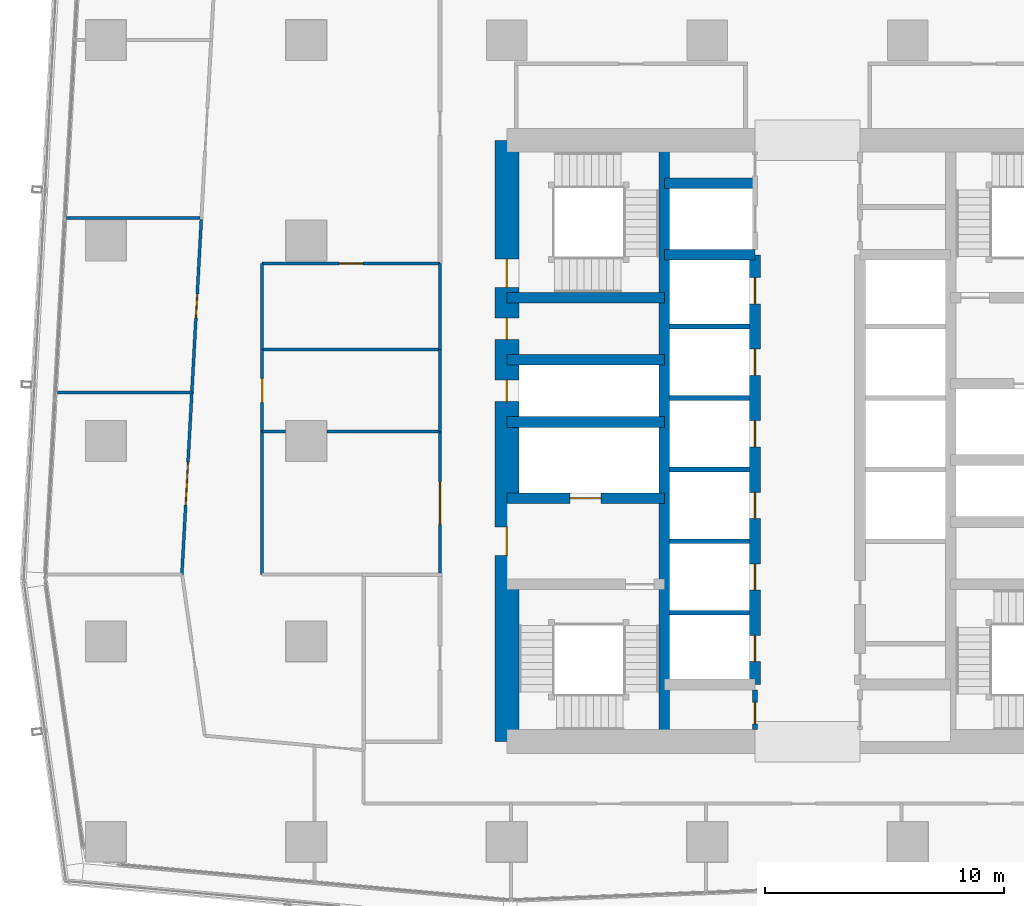
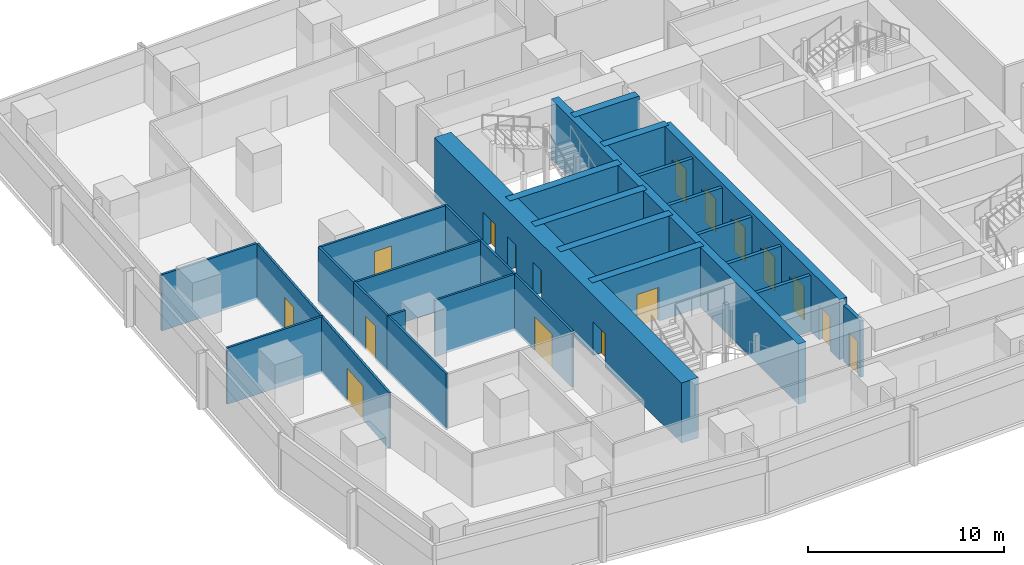
# One storey, part 29 of 40: 29 walls, 17 doors, 17 openings.
"""IFC4 building model written with IfcOpenShell, lengths in metres."""

from ifc_helpers import new_model, si_unit, direction, frame, frame_2d, origin, place, context, subcontext, project, spatial, rectangle, extrude, material, layer, layer_set, type_object, element, fill, save


model = new_model("IFC4")

# Units and contexts
model_context = context("Model", 3, precision=1e-05, world=origin(), true_north=direction((0.0, 1.0)))
body_context = subcontext(model_context, "Body", "Model", "MODEL_VIEW")
ifc_project = project(units=[si_unit("LENGTHUNIT", "METRE"), si_unit("AREAUNIT", "SQUARE_METRE"), si_unit("VOLUMEUNIT", "CUBIC_METRE"), si_unit("PLANEANGLEUNIT", "RADIAN"), si_unit("MASSUNIT", "GRAM", prefix="KILO")], contexts=[model_context])

# Site, building, storey
site_placement = place(None, origin())
site = spatial("IfcSite", under=ifc_project, at=site_placement, CompositionType="ELEMENT")
building_placement = place(site_placement, origin())
building = spatial("IfcBuilding", under=site, at=building_placement, Name="Rekha Terrace Tower", CompositionType="ELEMENT")
storey_placement = place(building_placement, frame((0.0, 0.0, 140.300048828125)))
storey = spatial("IfcBuildingStorey", under=building, at=storey_placement, Name="L35", CompositionType="ELEMENT", Elevation=140.300048828125)

# Wall
ifc_material_1 = material(Name="Concrete M70", Category="concrete")
ifc_layer_1 = layer(ifc_material_1, 0.449951171875)
ifc_layer_set_1 = layer_set([ifc_layer_1], Name="Concrete M70")
wall_type_1 = type_object("IfcWallType", Name="CI2 450 core internal shear wall", PredefinedType="SHEAR", material=ifc_layer_set_1)
wall_1_placement = place(storey_placement, frame((31.800048828125, 21.0, 0.0), z_axis=(0.0, 0.0, 1.0), x_axis=(0.0, 1.0, 0.0)))
element("IfcWall", 1, at=wall_1_placement, inside=storey, type_object=wall_type_1, Name="Core wall X318 L35", PredefinedType="SHEAR", context=body_context, shape_type="SweptSolid", body=[
    extrude(rectangle(XDim=25.199951171875, YDim=0.449951171875, at=frame_2d((12.60009765625, 0.0))), origin(), (0.0, 0.0, 1.0), 3.75),
])

# Wall, openings, doors
wall_2_placement = place(storey_placement, frame((35.60009765625, 23.39990234375, 0.0), z_axis=(0.0, 0.0, 1.0), x_axis=(0.0, 1.0, 0.0)))
wall_2 = element("IfcWall", 2, at=wall_2_placement, inside=storey, type_object=wall_type_1, Name="Core wall X356 L35", PredefinedType="SHEAR", context=body_context, shape_type="SweptSolid", body=[
    extrude(rectangle(XDim=18.0, YDim=0.449951171875, at=frame_2d((9.0, 0.0))), origin(), (0.0, 0.0, 1.0), 3.75),
])
opening_1_placement = place(wall_2_placement, frame((0.949951171875, 0.0, 0.0)))
opening_1 = element("IfcOpeningElement", 3, at=opening_1_placement, cuts=wall_2, Name="Opening LD1", PredefinedType="OPENING", context=body_context, shape_type="SweptSolid", body=[
    extrude(rectangle(XDim=1.10009765625, YDim=2.10009765625, at=frame_2d((0.550048828125, 1.050048828125))), frame((0.0, 0.23486328125, 0.0), z_axis=(0.0, -1.0, 0.0), x_axis=(1.0, 0.0, 0.0)), (0.0, 0.0, 1.0), 0.469970703125),
])
opening_2_placement = place(wall_2_placement, frame((3.949951171875, 0.0, 0.0)))
opening_2 = element("IfcOpeningElement", 4, at=opening_2_placement, cuts=wall_2, Name="Opening LD1", PredefinedType="OPENING", context=body_context, shape_type="SweptSolid", body=[
    extrude(rectangle(XDim=1.10009765625, YDim=2.10009765625, at=frame_2d((0.550048828125, 1.050048828125))), frame((0.0, 0.23486328125, 0.0), z_axis=(0.0, -1.0, 0.0), x_axis=(1.0, 0.0, 0.0)), (0.0, 0.0, 1.0), 0.469970703125),
])
opening_3_placement = place(wall_2_placement, frame((6.949951171875, 0.0, 0.0)))
opening_3 = element("IfcOpeningElement", 5, at=opening_3_placement, cuts=wall_2, Name="Opening LD1", PredefinedType="OPENING", context=body_context, shape_type="SweptSolid", body=[
    extrude(rectangle(XDim=1.10009765625, YDim=2.10009765625, at=frame_2d((0.550048828125, 1.050048828125))), frame((0.0, 0.23486328125, 0.0), z_axis=(0.0, -1.0, 0.0), x_axis=(1.0, 0.0, 0.0)), (0.0, 0.0, 1.0), 0.469970703125),
])
opening_4_placement = place(wall_2_placement, frame((9.949951171875, 0.0, 0.0)))
opening_4 = element("IfcOpeningElement", 6, at=opening_4_placement, cuts=wall_2, Name="Opening LD1", PredefinedType="OPENING", context=body_context, shape_type="SweptSolid", body=[
    extrude(rectangle(XDim=1.10009765625, YDim=2.10009765625, at=frame_2d((0.550048828125, 1.050048828125))), frame((0.0, 0.23486328125, 0.0), z_axis=(0.0, -1.0, 0.0), x_axis=(1.0, 0.0, 0.0)), (0.0, 0.0, 1.0), 0.469970703125),
])
opening_5_placement = place(wall_2_placement, frame((12.949951171875, 0.0, 0.0)))
opening_5 = element("IfcOpeningElement", 7, at=opening_5_placement, cuts=wall_2, Name="Opening LD1", PredefinedType="OPENING", context=body_context, shape_type="SweptSolid", body=[
    extrude(rectangle(XDim=1.10009765625, YDim=2.10009765625, at=frame_2d((0.550048828125, 1.050048828125))), frame((0.0, 0.23486328125, 0.0), z_axis=(0.0, -1.0, 0.0), x_axis=(1.0, 0.0, 0.0)), (0.0, 0.0, 1.0), 0.469970703125),
])
opening_6_placement = place(wall_2_placement, frame((15.949951171875, 0.0, 0.0)))
opening_6 = element("IfcOpeningElement", 8, at=opening_6_placement, cuts=wall_2, Name="Opening LD1", PredefinedType="OPENING", context=body_context, shape_type="SweptSolid", body=[
    extrude(rectangle(XDim=1.10009765625, YDim=2.10009765625, at=frame_2d((0.550048828125, 1.050048828125))), frame((0.0, 0.23486328125, 0.0), z_axis=(0.0, -1.0, 0.0), x_axis=(1.0, 0.0, 0.0)), (0.0, 0.0, 1.0), 0.469970703125),
])
ifc_material_2 = material(Name="Stainless steel sliding landing door", Category="steel")
door_type_1 = type_object("IfcDoorType", Name="LD1 1100x2100 lift landing door", OperationType="SLIDING_TO_LEFT", PredefinedType="USERDEFINED", material=ifc_material_2)
door_1_placement = place(opening_1_placement, origin())
door_1 = element("IfcDoor", 9, at=door_1_placement, inside=storey, type_object=door_type_1, Name="Lift B1 landing door L35", ObjectType="LIFT LANDING DOOR", OperationType="SLIDING_TO_LEFT", OverallHeight=2.10009765625, OverallWidth=1.10009765625, PredefinedType="USERDEFINED", context=body_context, shape_type="SweptSolid", body=[
    extrude(rectangle(XDim=1.10009765625, YDim=2.10009765625, at=frame_2d((0.550048828125, 1.050048828125))), frame((0.0, 0.02490234375, 0.0), z_axis=(0.0, -1.0, 0.0), x_axis=(1.0, 0.0, 0.0)), (0.0, 0.0, 1.0), 0.050048828125),
])
fill(opening_1, door_1)
door_2_placement = place(opening_2_placement, origin())
door_2 = element("IfcDoor", 10, at=door_2_placement, inside=storey, type_object=door_type_1, Name="Lift B2 landing door L35", ObjectType="LIFT LANDING DOOR", OperationType="SLIDING_TO_LEFT", OverallHeight=2.10009765625, OverallWidth=1.10009765625, PredefinedType="USERDEFINED", context=body_context, shape_type="SweptSolid", body=[
    extrude(rectangle(XDim=1.10009765625, YDim=2.10009765625, at=frame_2d((0.550048828125, 1.050048828125))), frame((0.0, 0.02490234375, 0.0), z_axis=(0.0, -1.0, 0.0), x_axis=(1.0, 0.0, 0.0)), (0.0, 0.0, 1.0), 0.050048828125),
])
fill(opening_2, door_2)
door_3_placement = place(opening_3_placement, origin())
door_3 = element("IfcDoor", 11, at=door_3_placement, inside=storey, type_object=door_type_1, Name="Lift B3 landing door L35", ObjectType="LIFT LANDING DOOR", OperationType="SLIDING_TO_LEFT", OverallHeight=2.10009765625, OverallWidth=1.10009765625, PredefinedType="USERDEFINED", context=body_context, shape_type="SweptSolid", body=[
    extrude(rectangle(XDim=1.10009765625, YDim=2.10009765625, at=frame_2d((0.550048828125, 1.050048828125))), frame((0.0, 0.02490234375, 0.0), z_axis=(0.0, -1.0, 0.0), x_axis=(1.0, 0.0, 0.0)), (0.0, 0.0, 1.0), 0.050048828125),
])
fill(opening_3, door_3)
door_4_placement = place(opening_4_placement, origin())
door_4 = element("IfcDoor", 12, at=door_4_placement, inside=storey, type_object=door_type_1, Name="Lift B4 landing door L35", ObjectType="LIFT LANDING DOOR", OperationType="SLIDING_TO_LEFT", OverallHeight=2.10009765625, OverallWidth=1.10009765625, PredefinedType="USERDEFINED", context=body_context, shape_type="SweptSolid", body=[
    extrude(rectangle(XDim=1.10009765625, YDim=2.10009765625, at=frame_2d((0.550048828125, 1.050048828125))), frame((0.0, 0.02490234375, 0.0), z_axis=(0.0, -1.0, 0.0), x_axis=(1.0, 0.0, 0.0)), (0.0, 0.0, 1.0), 0.050048828125),
])
fill(opening_4, door_4)
door_5_placement = place(opening_5_placement, origin())
door_5 = element("IfcDoor", 13, at=door_5_placement, inside=storey, type_object=door_type_1, Name="Lift B5 landing door L35", ObjectType="LIFT LANDING DOOR", OperationType="SLIDING_TO_LEFT", OverallHeight=2.10009765625, OverallWidth=1.10009765625, PredefinedType="USERDEFINED", context=body_context, shape_type="SweptSolid", body=[
    extrude(rectangle(XDim=1.10009765625, YDim=2.10009765625, at=frame_2d((0.550048828125, 1.050048828125))), frame((0.0, 0.02490234375, 0.0), z_axis=(0.0, -1.0, 0.0), x_axis=(1.0, 0.0, 0.0)), (0.0, 0.0, 1.0), 0.050048828125),
])
fill(opening_5, door_5)
door_6_placement = place(opening_6_placement, origin())
door_6 = element("IfcDoor", 14, at=door_6_placement, inside=storey, type_object=door_type_1, Name="Lift B6 landing door L35", ObjectType="LIFT LANDING DOOR", OperationType="SLIDING_TO_LEFT", OverallHeight=2.10009765625, OverallWidth=1.10009765625, PredefinedType="USERDEFINED", context=body_context, shape_type="SweptSolid", body=[
    extrude(rectangle(XDim=1.10009765625, YDim=2.10009765625, at=frame_2d((0.550048828125, 1.050048828125))), frame((0.0, 0.02490234375, 0.0), z_axis=(0.0, -1.0, 0.0), x_axis=(1.0, 0.0, 0.0)), (0.0, 0.0, 1.0), 0.050048828125),
])
fill(opening_6, door_6)

# Walls
for number, where, z_axis, x_axis, name in (
    (15, (31.800048828125, 41.39990234375, 0.0), (0.0, 0.0, 1.0), (1.0, 0.0, 0.0), "Core wall Y414W L35"),
    (16, (31.800048828125, 44.39990234375, 0.0), (0.0, 0.0, 1.0), (1.0, 0.0, 0.0), "Core wall Y444W L35"),
):
    element("IfcWall", number, at=place(storey_placement, frame(where, z_axis=z_axis, x_axis=x_axis)), inside=storey, type_object=wall_type_1, Name=name, PredefinedType="SHEAR", context=body_context, shape_type="SweptSolid", body=[
        extrude(rectangle(XDim=3.800048828125, YDim=0.449951171875, at=frame_2d((1.89990234375, 0.0))), origin(), (0.0, 0.0, 1.0), 3.75),
    ])

# Wall, opening, door
wall_3_placement = place(storey_placement, frame((25.199951171875, 31.199951171875, 0.0), z_axis=(0.0, 0.0, 1.0), x_axis=(1.0, 0.0, 0.0)))
wall_3 = element("IfcWall", 17, at=wall_3_placement, inside=storey, type_object=wall_type_1, Name="Core wall Y312W L35", PredefinedType="SHEAR", context=body_context, shape_type="SweptSolid", body=[
    extrude(rectangle(XDim=6.60009765625, YDim=0.449951171875, at=frame_2d((3.300048828125, 0.0))), origin(), (0.0, 0.0, 1.0), 3.75),
])
opening_7_placement = place(wall_3_placement, frame((2.64990234375, 0.0, 0.0)))
opening_7 = element("IfcOpeningElement", 18, at=opening_7_placement, cuts=wall_3, Name="Opening LD2", PredefinedType="OPENING", context=body_context, shape_type="SweptSolid", body=[
    extrude(rectangle(XDim=1.300048828125, YDim=2.10009765625, at=frame_2d((0.64990234375, 1.050048828125))), frame((0.0, 0.23486328125, 0.0), z_axis=(0.0, -1.0, 0.0), x_axis=(1.0, 0.0, 0.0)), (0.0, 0.0, 1.0), 0.469970703125),
])
door_type_2 = type_object("IfcDoorType", Name="LD2 1300x2100 fire lift landing door", OperationType="SLIDING_TO_LEFT", PredefinedType="USERDEFINED", material=ifc_material_2)
door_7_placement = place(opening_7_placement, origin())
door_7 = element("IfcDoor", 19, at=door_7_placement, inside=storey, type_object=door_type_2, Name="Lift FL1 landing door L35", ObjectType="LIFT LANDING DOOR", OperationType="SLIDING_TO_LEFT", OverallHeight=2.10009765625, OverallWidth=1.300048828125, PredefinedType="USERDEFINED", context=body_context, shape_type="SweptSolid", body=[
    extrude(rectangle(XDim=1.300048828125, YDim=2.10009765625, at=frame_2d((0.64990234375, 1.050048828125))), frame((0.0, 0.02490234375, 0.0), z_axis=(0.0, -1.0, 0.0), x_axis=(1.0, 0.0, 0.0)), (0.0, 0.0, 1.0), 0.050048828125),
])
fill(opening_7, door_7)

# Walls
for number, where, z_axis, x_axis, name in (
    (20, (25.199951171875, 34.39990234375, 0.0), (0.0, 0.0, 1.0), (1.0, 0.0, 0.0), "Core wall Y344W L35"),
    (21, (25.199951171875, 37.0, 0.0), (0.0, 0.0, 1.0), (1.0, 0.0, 0.0), "Core wall Y370W L35"),
    (22, (25.199951171875, 39.60009765625, 0.0), (0.0, 0.0, 1.0), (1.0, 0.0, 0.0), "Core wall Y396W L35"),
):
    element("IfcWall", number, at=place(storey_placement, frame(where, z_axis=z_axis, x_axis=x_axis)), inside=storey, type_object=wall_type_1, Name=name, PredefinedType="SHEAR", context=body_context, shape_type="SweptSolid", body=[
        extrude(rectangle(XDim=6.60009765625, YDim=0.449951171875, at=frame_2d((3.300048828125, 0.0))), origin(), (0.0, 0.0, 1.0), 3.75),
    ])

# Wall, openings, doors
ifc_layer_2 = layer(ifc_material_1, 1.0)
ifc_layer_set_2 = layer_set([ifc_layer_2], Name="Concrete M70")
wall_type_2 = type_object("IfcWallType", Name="SW2 1000 core outer shear wall", PredefinedType="SHEAR", material=ifc_layer_set_2)
wall_4_placement = place(storey_placement, frame((25.199951171875, 21.0, 0.0), z_axis=(0.0, 0.0, 1.0), x_axis=(0.0, 1.0, 0.0)))
wall_4 = element("IfcWall", 23, at=wall_4_placement, inside=storey, type_object=wall_type_2, Name="Core wall W L35", PredefinedType="SHEAR", context=body_context, shape_type="SweptSolid", body=[
    extrude(rectangle(XDim=25.199951171875, YDim=1.0, at=frame_2d((12.60009765625, 0.0))), origin(), (0.0, 0.0, 1.0), 3.75),
])
opening_8_placement = place(wall_4_placement, frame((7.800048828125, 0.0, 0.0)))
opening_8 = element("IfcOpeningElement", 24, at=opening_8_placement, cuts=wall_4, Name="Opening D2", PredefinedType="OPENING", context=body_context, shape_type="SweptSolid", body=[
    extrude(rectangle(XDim=1.199951171875, YDim=2.10009765625, at=frame_2d((0.60009765625, 1.050048828125))), frame((0.0, 0.510009765625, 0.0), z_axis=(0.0, -1.0, 0.0), x_axis=(1.0, 0.0, 0.0)), (0.0, 0.0, 1.0), 1.02001953125),
])
opening_9_placement = place(wall_4_placement, frame((14.25, 0.0, 0.0)))
opening_9 = element("IfcOpeningElement", 25, at=opening_9_placement, cuts=wall_4, Name="Opening D5", PredefinedType="OPENING", context=body_context, shape_type="SweptSolid", body=[
    extrude(rectangle(XDim=0.89990234375, YDim=2.10009765625, at=frame_2d((0.449951171875, 1.050048828125))), frame((0.0, 0.510009765625, 0.0), z_axis=(0.0, -1.0, 0.0), x_axis=(1.0, 0.0, 0.0)), (0.0, 0.0, 1.0), 1.02001953125),
])
opening_10_placement = place(wall_4_placement, frame((16.85009765625, 0.0, 0.0)))
opening_10 = element("IfcOpeningElement", 26, at=opening_10_placement, cuts=wall_4, Name="Opening D5", PredefinedType="OPENING", context=body_context, shape_type="SweptSolid", body=[
    extrude(rectangle(XDim=0.89990234375, YDim=2.10009765625, at=frame_2d((0.449951171875, 1.050048828125))), frame((0.0, 0.510009765625, 0.0), z_axis=(0.0, -1.0, 0.0), x_axis=(1.0, 0.0, 0.0)), (0.0, 0.0, 1.0), 1.02001953125),
])
opening_11_placement = place(wall_4_placement, frame((19.02490234375, 0.0, 0.0)))
opening_11 = element("IfcOpeningElement", 27, at=opening_11_placement, cuts=wall_4, Name="Opening D1", PredefinedType="OPENING", context=body_context, shape_type="SweptSolid", body=[
    extrude(rectangle(XDim=1.199951171875, YDim=2.10009765625, at=frame_2d((0.60009765625, 1.050048828125))), frame((0.0, 0.510009765625, 0.0), z_axis=(0.0, -1.0, 0.0), x_axis=(1.0, 0.0, 0.0)), (0.0, 0.0, 1.0), 1.02001953125),
])
ifc_material_3 = material(Name="Steel fire door", Category="steel")
door_type_3 = type_object("IfcDoorType", Name="D1 1200x2100 stair fire door", OperationType="SINGLE_SWING_RIGHT", PredefinedType="DOOR", material=ifc_material_3)
door_8_placement = place(opening_11_placement, origin())
door_8 = element("IfcDoor", 28, at=door_8_placement, inside=storey, type_object=door_type_3, Name="Stair ST4 door L35", OperationType="SINGLE_SWING_RIGHT", OverallHeight=2.10009765625, OverallWidth=1.199951171875, PredefinedType="DOOR", context=body_context, shape_type="SweptSolid", body=[
    extrude(rectangle(XDim=1.199951171875, YDim=2.10009765625, at=frame_2d((0.60009765625, 1.050048828125))), frame((0.0, 0.02490234375, 0.0), z_axis=(0.0, -1.0, 0.0), x_axis=(1.0, 0.0, 0.0)), (0.0, 0.0, 1.0), 0.050048828125),
])
fill(opening_11, door_8)
door_type_4 = type_object("IfcDoorType", Name="D2 1200x2100 firefighting lobby door", OperationType="SINGLE_SWING_LEFT", PredefinedType="DOOR", material=ifc_material_3)
door_9_placement = place(opening_8_placement, origin())
door_9 = element("IfcDoor", 29, at=door_9_placement, inside=storey, type_object=door_type_4, Name="Door flb1 L35", OperationType="SINGLE_SWING_LEFT", OverallHeight=2.10009765625, OverallWidth=1.199951171875, PredefinedType="DOOR", context=body_context, shape_type="SweptSolid", body=[
    extrude(rectangle(XDim=1.199951171875, YDim=2.10009765625, at=frame_2d((0.60009765625, 1.050048828125))), frame((0.0, 0.02490234375, 0.0), z_axis=(0.0, -1.0, 0.0), x_axis=(1.0, 0.0, 0.0)), (0.0, 0.0, 1.0), 0.050048828125),
])
fill(opening_8, door_9)
door_type_5 = type_object("IfcDoorType", Name="D5 900x2100 riser access door", OperationType="SINGLE_SWING_LEFT", PredefinedType="DOOR", material=ifc_material_3)
door_10_placement = place(opening_9_placement, origin())
door_10 = element("IfcDoor", 30, at=door_10_placement, inside=storey, type_object=door_type_5, Name="Door rs1 L35", OperationType="SINGLE_SWING_LEFT", OverallHeight=2.10009765625, OverallWidth=0.89990234375, PredefinedType="DOOR", context=body_context, shape_type="SweptSolid", body=[
    extrude(rectangle(XDim=0.89990234375, YDim=2.10009765625, at=frame_2d((0.449951171875, 1.050048828125))), frame((0.0, 0.02490234375, 0.0), z_axis=(0.0, -1.0, 0.0), x_axis=(1.0, 0.0, 0.0)), (0.0, 0.0, 1.0), 0.050048828125),
])
fill(opening_9, door_10)
door_11_placement = place(opening_10_placement, origin())
door_11 = element("IfcDoor", 31, at=door_11_placement, inside=storey, type_object=door_type_5, Name="Door elw L35", OperationType="SINGLE_SWING_LEFT", OverallHeight=2.10009765625, OverallWidth=0.89990234375, PredefinedType="DOOR", context=body_context, shape_type="SweptSolid", body=[
    extrude(rectangle(XDim=0.89990234375, YDim=2.10009765625, at=frame_2d((0.449951171875, 1.050048828125))), frame((0.0, 0.02490234375, 0.0), z_axis=(0.0, -1.0, 0.0), x_axis=(1.0, 0.0, 0.0)), (0.0, 0.0, 1.0), 0.050048828125),
])
fill(opening_10, door_11)

# Wall
ifc_material_4 = material(Name="Two layers of fire-rated gypsum board each side on steel studs, acoustic quilt, 1 hour", Category="steel")
ifc_layer_3 = layer(ifc_material_4, 0.125)
ifc_layer_set_3 = layer_set([ifc_layer_3], Name="Two layers of fire-rated gypsum board each side on steel studs, acoustic quilt, 1 hour")
wall_type_3 = type_object("IfcWallType", Name="WP3 125 office partition", PredefinedType="PARTITIONING", material=ifc_layer_set_3)
wall_5_placement = place(storey_placement, frame((12.339111328125, 42.943115234375, 0.0), z_axis=(0.0, 0.0, 1.0), x_axis=(-1.0, 0.0, 0.0)))
element("IfcWall", 32, at=wall_5_placement, inside=storey, type_object=wall_type_3, Name="Partition L35-16", PredefinedType="PARTITIONING", context=body_context, shape_type="SweptSolid", body=[
    extrude(rectangle(XDim=5.59521484375, YDim=0.125, at=frame_2d((2.797607421875, 0.0))), origin(), (0.0, 0.0, 1.0), 3.5),
])

# Wall, opening, door
wall_6_placement = place(storey_placement, frame((12.39794921875, 42.8720703125, 0.0), z_axis=(0.0, 0.0, 1.0), x_axis=(-0.054770412321, -0.998498974428, 0.0)))
wall_6 = element("IfcWall", 33, at=wall_6_placement, inside=storey, type_object=wall_type_3, Name="Partition L35-17", PredefinedType="PARTITIONING", context=body_context, shape_type="SweptSolid", body=[
    extrude(rectangle(XDim=7.248046875, YDim=0.125, at=frame_2d((3.6240234375, 0.0))), origin(), (0.0, 0.0, 1.0), 3.5),
])
opening_12_placement = place(wall_6_placement, frame((3.1240234375, 0.0, 0.0)))
opening_12 = element("IfcOpeningElement", 34, at=opening_12_placement, cuts=wall_6, Name="Opening D9", PredefinedType="OPENING", context=body_context, shape_type="SweptSolid", body=[
    extrude(rectangle(XDim=1.0, YDim=2.10009765625, at=frame_2d((0.5, 1.050048828125))), frame((0.0, 0.072509765625, 0.0), z_axis=(0.0, -1.0, 0.0), x_axis=(1.0, 0.0, 0.0)), (0.0, 0.0, 1.0), 0.14501953125),
])
ifc_material_5 = material(Name="Timber fire door", Category="wood")
door_type_6 = type_object("IfcDoorType", Name="D9 1000x2100 office door", OperationType="SINGLE_SWING_LEFT", PredefinedType="DOOR", material=ifc_material_5)
door_12_placement = place(opening_12_placement, origin())
door_12 = element("IfcDoor", 35, at=door_12_placement, inside=storey, type_object=door_type_6, Name="Door office L35", OperationType="SINGLE_SWING_LEFT", OverallHeight=2.10009765625, OverallWidth=1.0, PredefinedType="DOOR", context=body_context, shape_type="SweptSolid", body=[
    extrude(rectangle(XDim=1.0, YDim=2.10009765625, at=frame_2d((0.5, 1.050048828125))), frame((0.0, 0.02490234375, 0.0), z_axis=(0.0, -1.0, 0.0), x_axis=(1.0, 0.0, 0.0)), (0.0, 0.0, 1.0), 0.050048828125),
])
fill(opening_12, door_12)

# Wall
wall_7_placement = place(storey_placement, frame((12.0009765625, 35.635009765625, 0.0), z_axis=(0.0, 0.0, 1.0), x_axis=(-1.0, 0.0, 0.0)))
element("IfcWall", 36, at=wall_7_placement, inside=storey, type_object=wall_type_3, Name="Partition L35-17", PredefinedType="PARTITIONING", context=body_context, shape_type="SweptSolid", body=[
    extrude(rectangle(XDim=5.6279296875, YDim=0.125, at=frame_2d((2.81396484375, 0.0))), origin(), (0.0, 0.0, 1.0), 3.5),
])

# Wall, opening, door
wall_8_placement = place(storey_placement, frame((12.0009765625, 35.634033203125, 0.0), z_axis=(0.0, 0.0, 1.0), x_axis=(-0.054668834128, -0.998504541089, 0.0)))
wall_8 = element("IfcWall", 37, at=wall_8_placement, inside=storey, type_object=wall_type_3, Name="Partition L35-18", PredefinedType="PARTITIONING", context=body_context, shape_type="SweptSolid", body=[
    extrude(rectangle(XDim=7.6455078125, YDim=0.125, at=frame_2d((3.82275390625, 0.0))), origin(), (0.0, 0.0, 1.0), 3.5),
])
opening_13_placement = place(wall_8_placement, frame((2.923095703125, 0.0, 0.0)))
opening_13 = element("IfcOpeningElement", 38, at=opening_13_placement, cuts=wall_8, Name="Opening D8", PredefinedType="OPENING", context=body_context, shape_type="SweptSolid", body=[
    extrude(rectangle(XDim=1.800048828125, YDim=2.10009765625, at=frame_2d((0.89990234375, 1.050048828125))), frame((0.0, 0.072509765625, 0.0), z_axis=(0.0, -1.0, 0.0), x_axis=(1.0, 0.0, 0.0)), (0.0, 0.0, 1.0), 0.14501953125),
])
door_type_7 = type_object("IfcDoorType", Name="D8 1800x2100 double leaf door", OperationType="DOUBLE_DOOR_SINGLE_SWING", PredefinedType="DOOR", material=ifc_material_5)
door_13_placement = place(opening_13_placement, origin())
door_13 = element("IfcDoor", 39, at=door_13_placement, inside=storey, type_object=door_type_7, Name="Door meeting room L35", OperationType="DOUBLE_DOOR_SINGLE_SWING", OverallHeight=2.10009765625, OverallWidth=1.800048828125, PredefinedType="DOOR", context=body_context, shape_type="SweptSolid", body=[
    extrude(rectangle(XDim=1.800048828125, YDim=2.10009765625, at=frame_2d((0.89990234375, 1.050048828125))), frame((0.0, 0.02490234375, 0.0), z_axis=(0.0, -1.0, 0.0), x_axis=(1.0, 0.0, 0.0)), (0.0, 0.0, 1.0), 0.050048828125),
])
fill(opening_13, door_13)

# Walls
wall_9_placement = place(storey_placement, frame((14.949951171875, 28.0, 0.0), z_axis=(0.0, 0.0, 1.0), x_axis=(0.0, 1.0, 0.0)))
element("IfcWall", 40, at=wall_9_placement, inside=storey, type_object=wall_type_3, Name="Partition L35-22", PredefinedType="PARTITIONING", context=body_context, shape_type="SweptSolid", body=[
    extrude(rectangle(XDim=6.0, YDim=0.125, at=frame_2d((3.0, 0.0))), origin(), (0.0, 0.0, 1.0), 3.5),
])
wall_10_placement = place(storey_placement, frame((14.949951171875, 34.0, 0.0), z_axis=(0.0, 0.0, 1.0), x_axis=(1.0, 0.0, 0.0)))
element("IfcWall", 41, at=wall_10_placement, inside=storey, type_object=wall_type_3, Name="Partition L35-22", PredefinedType="PARTITIONING", context=body_context, shape_type="SweptSolid", body=[
    extrude(rectangle(XDim=0.97998046875, YDim=0.125, at=frame_2d((0.489990234375, 0.0))), origin(), (0.0, 0.0, 1.0), 3.5),
])
wall_11_placement = place(storey_placement, frame((17.669921875, 34.0, 0.0), z_axis=(0.0, 0.0, 1.0), x_axis=(1.0, 0.0, 0.0)))
element("IfcWall", 42, at=wall_11_placement, inside=storey, type_object=wall_type_3, Name="Partition L35-22", PredefinedType="PARTITIONING", context=body_context, shape_type="SweptSolid", body=[
    extrude(rectangle(XDim=4.72998046875, YDim=0.125, at=frame_2d((2.364990234375, 0.0))), origin(), (0.0, 0.0, 1.0), 3.5),
])

# Wall, opening, door
wall_12_placement = place(storey_placement, frame((22.39990234375, 34.0, 0.0), z_axis=(0.0, 0.0, 1.0), x_axis=(0.0, -1.0, 0.0)))
wall_12 = element("IfcWall", 43, at=wall_12_placement, inside=storey, type_object=wall_type_3, Name="Partition L35-22", PredefinedType="PARTITIONING", context=body_context, shape_type="SweptSolid", body=[
    extrude(rectangle(XDim=5.925048828125, YDim=0.125, at=frame_2d((2.96240234375, 0.0))), origin(), (0.0, 0.0, 1.0), 3.5),
])
opening_14_placement = place(wall_12_placement, frame((2.10009765625, 0.0, 0.0)))
opening_14 = element("IfcOpeningElement", 44, at=opening_14_placement, cuts=wall_12, Name="Opening D8", PredefinedType="OPENING", context=body_context, shape_type="SweptSolid", body=[
    extrude(rectangle(XDim=1.800048828125, YDim=2.10009765625, at=frame_2d((0.89990234375, 1.050048828125))), frame((0.0, 0.072509765625, 0.0), z_axis=(0.0, -1.0, 0.0), x_axis=(1.0, 0.0, 0.0)), (0.0, 0.0, 1.0), 0.14501953125),
])
door_14_placement = place(opening_14_placement, origin())
door_14 = element("IfcDoor", 45, at=door_14_placement, inside=storey, type_object=door_type_7, Name="Door reception L35", OperationType="DOUBLE_DOOR_SINGLE_SWING", OverallHeight=2.10009765625, OverallWidth=1.800048828125, PredefinedType="DOOR", context=body_context, shape_type="SweptSolid", body=[
    extrude(rectangle(XDim=1.800048828125, YDim=2.10009765625, at=frame_2d((0.89990234375, 1.050048828125))), frame((0.0, 0.02490234375, 0.0), z_axis=(0.0, -1.0, 0.0), x_axis=(1.0, 0.0, 0.0)), (0.0, 0.0, 1.0), 0.050048828125),
])
fill(opening_14, door_14)

wall_13_placement = place(storey_placement, frame((14.949951171875, 34.0, 0.0), z_axis=(0.0, 0.0, 1.0), x_axis=(0.0, 1.0, 0.0)))
wall_13 = element("IfcWall", 46, at=wall_13_placement, inside=storey, type_object=wall_type_3, Name="Partition L35-23", PredefinedType="PARTITIONING", context=body_context, shape_type="SweptSolid", body=[
    extrude(rectangle(XDim=3.43701171875, YDim=0.125, at=frame_2d((1.718505859375, 0.0))), origin(), (0.0, 0.0, 1.0), 3.5),
])
opening_15_placement = place(wall_13_placement, frame((1.218017578125, 0.0, 0.0)))
opening_15 = element("IfcOpeningElement", 47, at=opening_15_placement, cuts=wall_13, Name="Opening D9", PredefinedType="OPENING", context=body_context, shape_type="SweptSolid", body=[
    extrude(rectangle(XDim=1.0, YDim=2.10009765625, at=frame_2d((0.5, 1.050048828125))), frame((0.0, 0.072509765625, 0.0), z_axis=(0.0, -1.0, 0.0), x_axis=(1.0, 0.0, 0.0)), (0.0, 0.0, 1.0), 0.14501953125),
])
door_15_placement = place(opening_15_placement, origin())
door_15 = element("IfcDoor", 48, at=door_15_placement, inside=storey, type_object=door_type_6, Name="Door storage room L35", OperationType="SINGLE_SWING_LEFT", OverallHeight=2.10009765625, OverallWidth=1.0, PredefinedType="DOOR", context=body_context, shape_type="SweptSolid", body=[
    extrude(rectangle(XDim=1.0, YDim=2.10009765625, at=frame_2d((0.5, 1.050048828125))), frame((0.0, 0.02490234375, 0.0), z_axis=(0.0, -1.0, 0.0), x_axis=(1.0, 0.0, 0.0)), (0.0, 0.0, 1.0), 0.050048828125),
])
fill(opening_15, door_15)

# Walls
wall_14_placement = place(storey_placement, frame((14.949951171875, 37.43701171875, 0.0), z_axis=(0.0, 0.0, 1.0), x_axis=(1.0, 0.0, 0.0)))
element("IfcWall", 49, at=wall_14_placement, inside=storey, type_object=wall_type_3, Name="Partition L35-23", PredefinedType="PARTITIONING", context=body_context, shape_type="SweptSolid", body=[
    extrude(rectangle(XDim=7.449951171875, YDim=0.125, at=frame_2d((3.72509765625, 0.0))), origin(), (0.0, 0.0, 1.0), 3.5),
])
wall_15_placement = place(storey_placement, frame((22.39990234375, 37.43701171875, 0.0), z_axis=(0.0, 0.0, 1.0), x_axis=(0.0, -1.0, 0.0)))
element("IfcWall", 50, at=wall_15_placement, inside=storey, type_object=wall_type_3, Name="Partition L35-23", PredefinedType="PARTITIONING", context=body_context, shape_type="SweptSolid", body=[
    extrude(rectangle(XDim=3.43701171875, YDim=0.125, at=frame_2d((1.718505859375, 0.0))), origin(), (0.0, 0.0, 1.0), 3.5),
])
wall_16_placement = place(storey_placement, frame((14.949951171875, 37.43701171875, 0.0), z_axis=(0.0, 0.0, 1.0), x_axis=(0.0, 1.0, 0.0)))
element("IfcWall", 51, at=wall_16_placement, inside=storey, type_object=wall_type_3, Name="Partition L35-24", PredefinedType="PARTITIONING", context=body_context, shape_type="SweptSolid", body=[
    extrude(rectangle(XDim=3.60009765625, YDim=0.125, at=frame_2d((1.800048828125, 0.0))), origin(), (0.0, 0.0, 1.0), 3.5),
])

# Wall, opening, door
wall_17_placement = place(storey_placement, frame((14.949951171875, 41.037109375, 0.0), z_axis=(0.0, 0.0, 1.0), x_axis=(1.0, 0.0, 0.0)))
wall_17 = element("IfcWall", 52, at=wall_17_placement, inside=storey, type_object=wall_type_3, Name="Partition L35-24", PredefinedType="PARTITIONING", context=body_context, shape_type="SweptSolid", body=[
    extrude(rectangle(XDim=7.449951171875, YDim=0.125, at=frame_2d((3.72509765625, 0.0))), origin(), (0.0, 0.0, 1.0), 3.5),
])
opening_16_placement = place(wall_17_placement, frame((3.22509765625, 0.0, 0.0)))
opening_16 = element("IfcOpeningElement", 53, at=opening_16_placement, cuts=wall_17, Name="Opening D9", PredefinedType="OPENING", context=body_context, shape_type="SweptSolid", body=[
    extrude(rectangle(XDim=1.0, YDim=2.10009765625, at=frame_2d((0.5, 1.050048828125))), frame((0.0, 0.072509765625, 0.0), z_axis=(0.0, -1.0, 0.0), x_axis=(1.0, 0.0, 0.0)), (0.0, 0.0, 1.0), 0.14501953125),
])
door_16_placement = place(opening_16_placement, origin())
door_16 = element("IfcDoor", 54, at=door_16_placement, inside=storey, type_object=door_type_6, Name="Door pantry L35", OperationType="SINGLE_SWING_LEFT", OverallHeight=2.10009765625, OverallWidth=1.0, PredefinedType="DOOR", context=body_context, shape_type="SweptSolid", body=[
    extrude(rectangle(XDim=1.0, YDim=2.10009765625, at=frame_2d((0.5, 1.050048828125))), frame((0.0, 0.02490234375, 0.0), z_axis=(0.0, -1.0, 0.0), x_axis=(1.0, 0.0, 0.0)), (0.0, 0.0, 1.0), 0.050048828125),
])
fill(opening_16, door_16)

# Walls
wall_18_placement = place(storey_placement, frame((22.39990234375, 41.037109375, 0.0), z_axis=(0.0, 0.0, 1.0), x_axis=(0.0, -1.0, 0.0)))
element("IfcWall", 55, at=wall_18_placement, inside=storey, type_object=wall_type_3, Name="Partition L35-24", PredefinedType="PARTITIONING", context=body_context, shape_type="SweptSolid", body=[
    extrude(rectangle(XDim=3.60009765625, YDim=0.125, at=frame_2d((1.800048828125, 0.0))), origin(), (0.0, 0.0, 1.0), 3.5),
])
ifc_material_6 = material(Name="Solid concrete block masonry, 2 hour", Category="masonry")
ifc_layer_4 = layer(ifc_material_6, 0.199951171875)
ifc_layer_set_4 = layer_set([ifc_layer_4], Name="Solid concrete block masonry, 2 hour")
wall_type_4 = type_object("IfcWallType", Name="WS1 200 stair and shaft enclosure", PredefinedType="PARTITIONING", material=ifc_layer_set_4)
for number, where, z_axis, x_axis, name in (
    (56, (32.02490234375, 26.39990234375, 0.0), (0.0, 0.0, 1.0), (1.0, 0.0, 0.0), "Lift shaft divider L35"),
    (57, (32.02490234375, 29.39990234375, 0.0), (0.0, 0.0, 1.0), (1.0, 0.0, 0.0), "Lift shaft divider L35"),
    (58, (32.02490234375, 32.39990234375, 0.0), (0.0, 0.0, 1.0), (1.0, 0.0, 0.0), "Lift shaft divider L35"),
    (59, (32.02490234375, 35.39990234375, 0.0), (0.0, 0.0, 1.0), (1.0, 0.0, 0.0), "Lift shaft divider L35"),
    (60, (32.02490234375, 38.39990234375, 0.0), (0.0, 0.0, 1.0), (1.0, 0.0, 0.0), "Lift shaft divider L35"),
):
    element("IfcWall", number, at=place(storey_placement, frame(where, z_axis=z_axis, x_axis=x_axis)), inside=storey, type_object=wall_type_4, Name=name, PredefinedType="PARTITIONING", context=body_context, shape_type="SweptSolid", body=[
        extrude(rectangle(XDim=3.35009765625, YDim=0.199951171875, at=frame_2d((1.675048828125, 0.0))), origin(), (0.0, 0.0, 1.0), 3.5),
    ])

# Wall, opening, door
wall_19_placement = place(storey_placement, frame((35.60009765625, 21.5, 0.0), z_axis=(0.0, 0.0, 1.0), x_axis=(0.0, 1.0, 0.0)))
wall_19 = element("IfcWall", 61, at=wall_19_placement, inside=storey, type_object=wall_type_4, Name="Core partition west L35", PredefinedType="PARTITIONING", context=body_context, shape_type="SweptSolid", body=[
    extrude(rectangle(XDim=1.675048828125, YDim=0.199951171875, at=frame_2d((0.83740234375, 0.0))), origin(), (0.0, 0.0, 1.0), 3.5),
])
opening_17_placement = place(wall_19_placement, frame((0.25, 0.0, 0.0)))
opening_17 = element("IfcOpeningElement", 62, at=opening_17_placement, cuts=wall_19, Name="Opening D5", PredefinedType="OPENING", context=body_context, shape_type="SweptSolid", body=[
    extrude(rectangle(XDim=0.89990234375, YDim=2.10009765625, at=frame_2d((0.449951171875, 1.050048828125))), frame((0.0, 0.10986328125, 0.0), z_axis=(0.0, -1.0, 0.0), x_axis=(1.0, 0.0, 0.0)), (0.0, 0.0, 1.0), 0.219970703125),
])
door_17_placement = place(opening_17_placement, origin())
door_17 = element("IfcDoor", 63, at=door_17_placement, inside=storey, type_object=door_type_5, Name="Door tenant store L35", OperationType="SINGLE_SWING_LEFT", OverallHeight=2.10009765625, OverallWidth=0.89990234375, PredefinedType="DOOR", context=body_context, shape_type="SweptSolid", body=[
    extrude(rectangle(XDim=0.89990234375, YDim=2.10009765625, at=frame_2d((0.449951171875, 1.050048828125))), frame((0.0, 0.02490234375, 0.0), z_axis=(0.0, -1.0, 0.0), x_axis=(1.0, 0.0, 0.0)), (0.0, 0.0, 1.0), 0.050048828125),
])
fill(opening_17, door_17)

save(model, "model.ifc")
